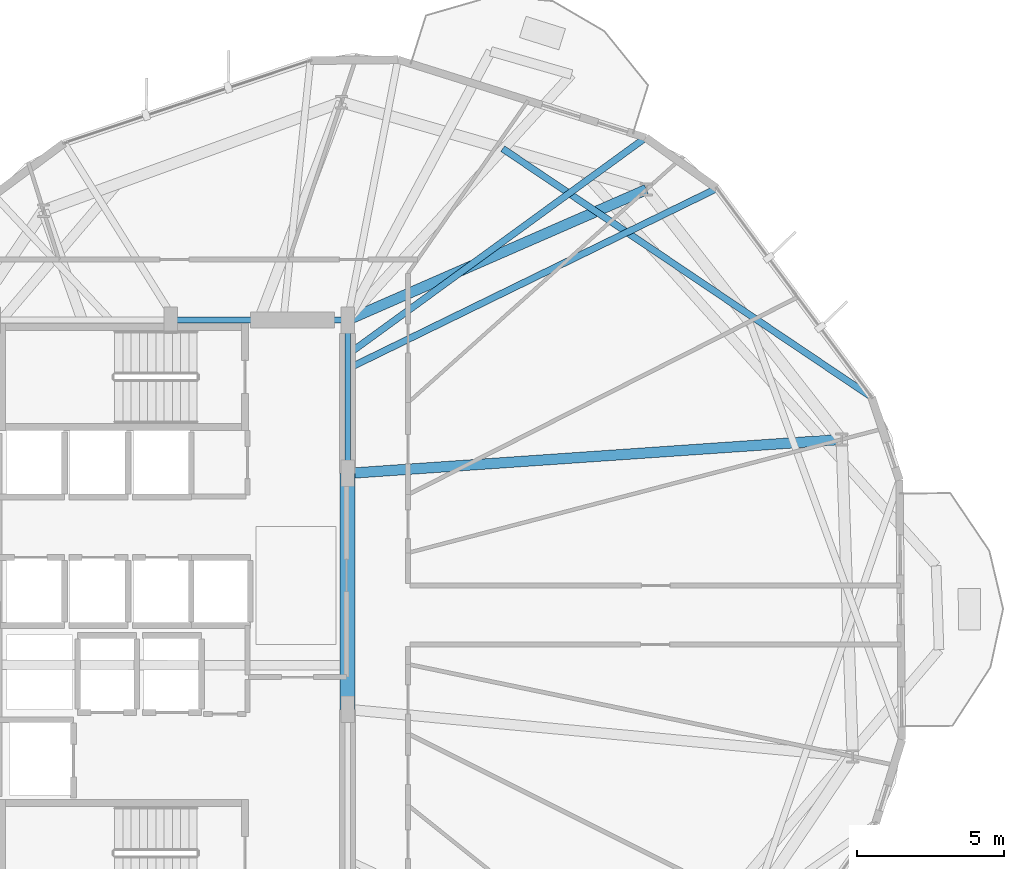
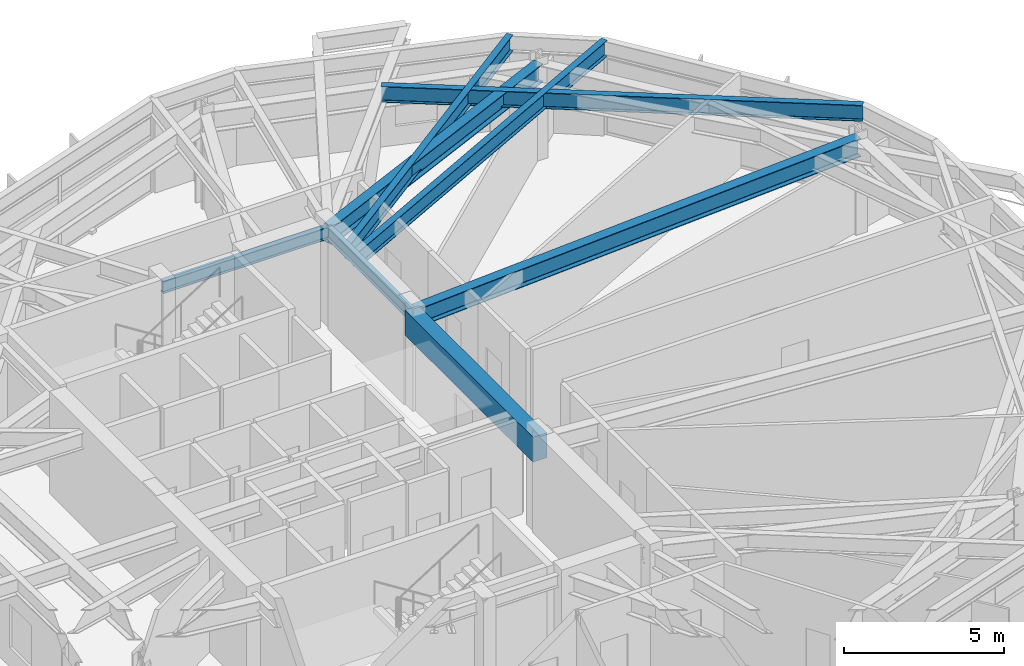
# One storey, part 11 of 27: 8 beams.
"""IFC4 building model written with IfcOpenShell, lengths in metres."""

from ifc_helpers import new_model, si_unit, direction, frame, origin, origin_2d, place, context, subcontext, project, spatial, rectangle, i_section, extrude, material, material_profile, profile_set, type_object, element, save


model = new_model("IFC4")

# Units and contexts
model_context = context("Model", 3, precision=1e-05, world=origin(), true_north=direction((0.0, 1.0)))
body_context = subcontext(model_context, "Body", "Model", "MODEL_VIEW")
ifc_project = project(units=[si_unit("LENGTHUNIT", "METRE"), si_unit("AREAUNIT", "SQUARE_METRE"), si_unit("VOLUMEUNIT", "CUBIC_METRE"), si_unit("PLANEANGLEUNIT", "RADIAN"), si_unit("MASSUNIT", "GRAM", prefix="KILO")], contexts=[model_context])

# Site, building, storey
site_placement = place(None, origin())
site = spatial("IfcSite", under=ifc_project, at=site_placement, CompositionType="ELEMENT")
building_placement = place(site_placement, origin())
building = spatial("IfcBuilding", under=site, at=building_placement, Name="Soratama Intermodal Tower", CompositionType="ELEMENT")
storey_placement = place(building_placement, frame((0.0, 0.0, 103.0)))
storey = spatial("IfcBuildingStorey", under=building, at=storey_placement, Name="L24", CompositionType="ELEMENT", Elevation=103.0)

# Beams
ifc_material_1 = material(Name="Concrete f'c 56 MPa", Category="concrete")
ifc_material_profile_1 = material_profile(ifc_material_1, rectangle(XDim=0.5, YDim=0.949951171875, at=origin_2d()), Name="RC500X950")
ifc_profile_set_1 = profile_set([ifc_material_profile_1], Name="Concrete f'c 56 MPa")
beam_type_1 = type_object("IfcBeamType", Name="BM-CPL-RC500X950", PredefinedType="BEAM", material=ifc_profile_set_1)
beam_1_placement = place(storey_placement, frame((44.60009765625, 21.800048828125, 3.125), z_axis=(0.0, 1.0, 0.0), x_axis=(-1.0, 0.0, 0.0)))
element("IfcBeam", 1, at=beam_1_placement, inside=storey, type_object=beam_type_1, Name="L24 Core Coupling Beam East", PredefinedType="BEAM", context=body_context, shape_type="SweptSolid", body=[
    extrude(rectangle(XDim=0.5, YDim=0.949951171875, at=origin_2d()), origin(), (0.0, 0.0, 1.0), 8.0),
])
ifc_material_2 = material(Name="Structural steel ASTM A992 Grade 50", Category="steel")
ifc_material_profile_2 = material_profile(ifc_material_2, i_section(OverallWidth=0.19091796875, OverallDepth=0.4599609375, WebThickness=0.010009765625, FlangeThickness=0.01611328125, FilletRadius=0.010986328125, at=origin_2d()), Name="W18X55")
ifc_profile_set_2 = profile_set([ifc_material_profile_2], Name="Structural steel ASTM A992 Grade 50")
beam_type_2 = type_object("IfcBeamType", Name="BM-FLR-W18X55", PredefinedType="BEAM", material=ifc_profile_set_2)
beam_2_placement = place(storey_placement, frame((44.60009765625, 29.800048828125, 3.3701171875), z_axis=(0.0, 1.0, 0.0), x_axis=(-1.0, 0.0, 0.0)))
element("IfcBeam", 2, at=beam_2_placement, inside=storey, type_object=beam_type_2, Name="BM-L24-CRING-05", PredefinedType="BEAM", context=body_context, shape_type="SweptSolid", body=[
    extrude(i_section(OverallWidth=0.19091796875, OverallDepth=0.4599609375, WebThickness=0.010009765625, FlangeThickness=0.01611328125, FilletRadius=0.010986328125, at=origin_2d()), origin(), (0.0, 0.0, 1.0), 5.199951171875),
])
beam_3_placement = place(storey_placement, frame((44.60009765625, 35.0, 3.3701171875), z_axis=(-1.0, 0.0, 0.0), x_axis=(0.0, -1.0, 0.0)))
element("IfcBeam", 3, at=beam_3_placement, inside=storey, type_object=beam_type_2, Name="BM-L24-CRING-06", PredefinedType="BEAM", context=body_context, shape_type="SweptSolid", body=[
    extrude(i_section(OverallWidth=0.19091796875, OverallDepth=0.4599609375, WebThickness=0.010009765625, FlangeThickness=0.01611328125, FilletRadius=0.010986328125, at=origin_2d()), origin(), (0.0, 0.0, 1.0), 6.0),
])
ifc_material_3 = material(Name="Structural steel ASTM A992 Grade 50", Category="steel")
ifc_material_profile_3 = material_profile(ifc_material_3, i_section(OverallWidth=0.35498046875, OverallDepth=0.695068359375, WebThickness=0.015380859375, FlangeThickness=0.02490234375, FilletRadius=0.01611328125, at=origin_2d()), Name="W27X146")
ifc_profile_set_3 = profile_set([ifc_material_profile_3], Name="Structural steel ASTM A992 Grade 50")
beam_type_3 = type_object("IfcBeamType", Name="BM-RING-W27X146", PredefinedType="BEAM", material=ifc_profile_set_3)
beam_4_placement = place(storey_placement, frame((44.60009765625, 29.800048828125, 3.25244140625), z_axis=(0.99764812202, 0.06854359656, 0.0), x_axis=(-0.06854359656, 0.99764812202, 0.0)))
element("IfcBeam", 4, at=beam_4_placement, inside=storey, type_object=beam_type_3, Name="BM-L24-RAD-01", PredefinedType="BEAM", context=body_context, shape_type="SweptSolid", body=[
    extrude(i_section(OverallWidth=0.35498046875, OverallDepth=0.695068359375, WebThickness=0.015380859375, FlangeThickness=0.02490234375, FilletRadius=0.01611328125, at=origin_2d()), origin(), (0.0, 0.0, 1.0), 16.79052734375),
])
beam_5_placement = place(storey_placement, frame((44.60009765625, 35.0, 3.25244140625), z_axis=(0.91638224797, 0.400304353718, 0.0), x_axis=(-0.400304353718, 0.91638224797, 0.0)))
element("IfcBeam", 5, at=beam_5_placement, inside=storey, type_object=beam_type_3, Name="BM-L24-RAD-02", PredefinedType="BEAM", context=body_context, shape_type="SweptSolid", body=[
    extrude(i_section(OverallWidth=0.35498046875, OverallDepth=0.695068359375, WebThickness=0.015380859375, FlangeThickness=0.02490234375, FilletRadius=0.01611328125, at=origin_2d()), origin(), (0.0, 0.0, 1.0), 11.05419921875),
])
ifc_material_4 = material(Name="Structural steel ASTM A992 Grade 50", Category="steel")
ifc_material_profile_4 = material_profile(ifc_material_4, i_section(OverallWidth=0.22900390625, OverallDepth=0.612060546875, WebThickness=0.011962890625, FlangeThickness=0.01953125, FilletRadius=0.012939453125, at=origin_2d()), Name="W24X84")
ifc_profile_set_4 = profile_set([ifc_material_profile_4], Name="Structural steel ASTM A992 Grade 50")
beam_type_4 = type_object("IfcBeamType", Name="BM-TIE-W24X84", PredefinedType="BEAM", material=ifc_profile_set_4)
beam_6_placement = place(storey_placement, frame((49.860107421875, 40.80908203125, 3.2939453125), z_axis=(0.829502916192, -0.55850238319, 0.0), x_axis=(0.55850238319, 0.829502916192, 0.0)))
element("IfcBeam", 6, at=beam_6_placement, inside=storey, type_object=beam_type_4, Name="BM-L24-TIE0-01", PredefinedType="BEAM", context=body_context, shape_type="SweptSolid", body=[
    extrude(i_section(OverallWidth=0.22900390625, OverallDepth=0.612060546875, WebThickness=0.011962890625, FlangeThickness=0.01953125, FilletRadius=0.012939453125, at=origin_2d()), origin(), (0.0, 0.0, 1.0), 15.076416015625),
])
beam_7_placement = place(storey_placement, frame((44.635986328125, 33.364990234375, 3.2939453125), z_axis=(0.898545121504, 0.438881150907, 0.0), x_axis=(-0.438881150907, 0.898545121504, 0.0)))
element("IfcBeam", 7, at=beam_7_placement, inside=storey, type_object=beam_type_4, Name="BM-L24-TIE1-01", PredefinedType="BEAM", context=body_context, shape_type="SweptSolid", body=[
    extrude(i_section(OverallWidth=0.22900390625, OverallDepth=0.612060546875, WebThickness=0.011962890625, FlangeThickness=0.01953125, FilletRadius=0.012939453125, at=origin_2d()), origin(), (0.0, 0.0, 1.0), 13.89697265625),
])
beam_8_placement = place(storey_placement, frame((44.632080078125, 33.85302734375, 3.2939453125), z_axis=(0.808553033973, 0.588423309576, 0.0), x_axis=(-0.588423309576, 0.808553033973, 0.0)))
element("IfcBeam", 8, at=beam_8_placement, inside=storey, type_object=beam_type_4, Name="BM-L24-TIE0-02", PredefinedType="BEAM", context=body_context, shape_type="SweptSolid", body=[
    extrude(i_section(OverallWidth=0.22900390625, OverallDepth=0.612060546875, WebThickness=0.011962890625, FlangeThickness=0.01953125, FilletRadius=0.012939453125, at=origin_2d()), origin(), (0.0, 0.0, 1.0), 12.46044921875),
])

save(model, "model.ifc")
